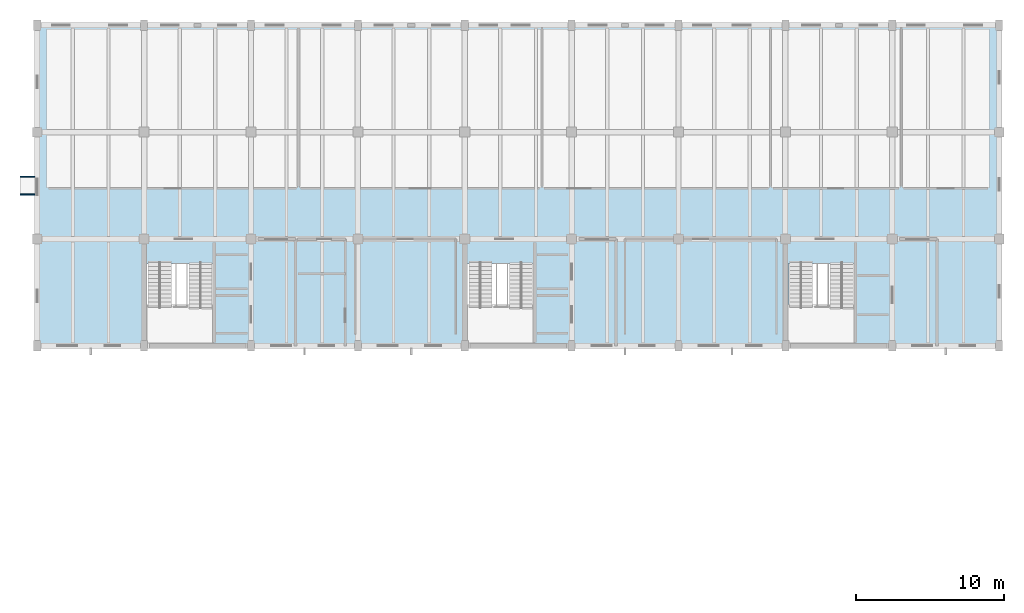
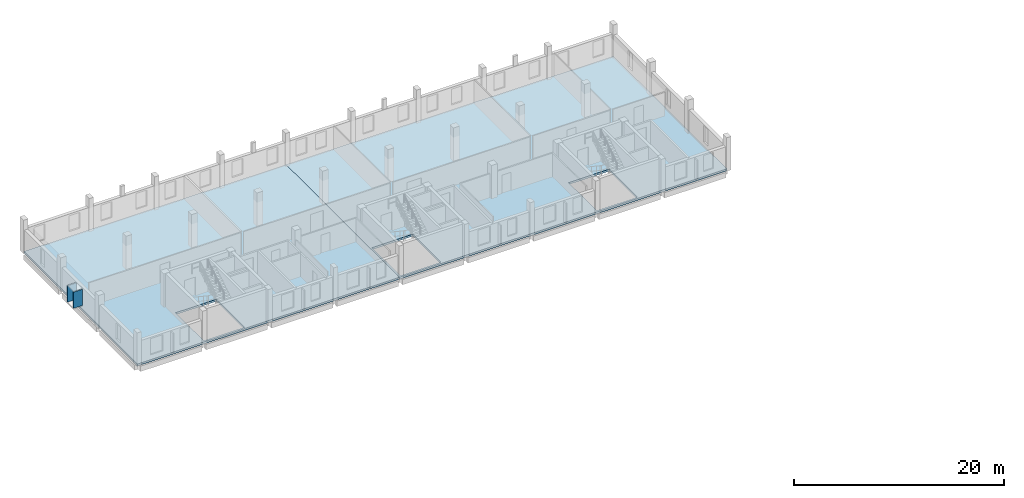
# One storey, part 4 of 11: 2 plates, 2 slabs.
"""IFC4 building model written with IfcOpenShell, lengths in metres."""

from ifc_helpers import new_model, si_unit, direction, frame, origin, origin_2d, place, context, subcontext, project, spatial, polyline, rectangle, outline, extrude, material, layer, layer_set, type_object, element, save


model = new_model("IFC4")

# Units and contexts
model_context = context("Model", 3, precision=1e-05, world=origin(), true_north=direction((0.0, 1.0)))
body_context = subcontext(model_context, "Body", "Model", "MODEL_VIEW")
ifc_project = project(units=[si_unit("LENGTHUNIT", "METRE"), si_unit("AREAUNIT", "SQUARE_METRE"), si_unit("VOLUMEUNIT", "CUBIC_METRE"), si_unit("PLANEANGLEUNIT", "RADIAN"), si_unit("MASSUNIT", "GRAM", prefix="KILO")], contexts=[model_context])

# Site, building, storey
site_placement = place(None, origin())
site = spatial("IfcSite", under=ifc_project, at=site_placement, CompositionType="ELEMENT")
building_placement = place(site_placement, origin())
building = spatial("IfcBuilding", under=site, at=building_placement, Name="Qiaolan Assembly House", CompositionType="ELEMENT")
storey_placement = place(building_placement, frame((0.0, 0.0, 26.39990234375)))
storey = spatial("IfcBuildingStorey", under=building, at=storey_placement, Name="L06", CompositionType="ELEMENT", Elevation=26.39990234375)

# Plates
ifc_material_1 = material(Name="Honed pale limestone", Category="masonry")
ifc_layer_1 = layer(ifc_material_1, 0.0849609375)
ifc_layer_set_1 = layer_set([ifc_layer_1], Name="Honed pale limestone")
plate_type = type_object("IfcPlateType", Name="PLT-WINBOX-CHEEK", PredefinedType="SHEET", material=ifc_layer_set_1)
for number, where, z_axis, x_axis, name in (
    (1, (35.340087890625, 103.8076171875, 0.7001953125), (0.0, 0.0, 1.0), (1.0, 0.0, 0.0), "WB-02 projecting window-box left cheek NWW-L06-01"),
    (2, (35.340087890625, 104.992431640625, 0.7001953125), (0.0, 0.0, 1.0), (1.0, 0.0, 0.0), "WB-02 projecting window-box right cheek NWW-L06-01"),
):
    element("IfcPlate", number, at=place(storey_placement, frame(where, z_axis=z_axis, x_axis=x_axis)), inside=storey, type_object=plate_type, Name=name, PredefinedType="SHEET", context=body_context, shape_type="SweptSolid", body=[
        extrude(rectangle(XDim=1.0, YDim=0.0849609375, at=origin_2d()), origin(), (0.0, 0.0, 1.0), 1.889892578125),
    ])

# Slabs
ifc_material_2 = material(Name="Concrete C40/50", Category="concrete")
ifc_layer_2 = layer(ifc_material_2, 0.22998046875)
ifc_layer_set_2 = layer_set([ifc_layer_2], Name="Concrete C40/50")
slab_type = type_object("IfcSlabType", Name="SLB-NW-FLOOR-230", PredefinedType="FLOOR", material=ifc_layer_set_2)
slab_1_placement = place(storey_placement, frame((0.0, 0.0, -0.22998046875)))
element("IfcSlab", 3, at=slab_1_placement, inside=storey, type_object=slab_type, Name="FS-06 North-West Wing West Plate L06", PredefinedType="FLOOR", context=body_context, shape_type="SweptSolid", body=[
    extrude(outline(polyline([(36.0, 93.60009765625), (64.800048828125, 93.60009765625), (64.800048828125, 115.199951171875), (36.0, 115.199951171875), (36.0, 93.60009765625)]), holes=[polyline([(43.39990234375, 93.800048828125), (43.39990234375, 99.14990234375), (47.8798828125, 99.14990234375), (47.8798828125, 93.800048828125), (43.39990234375, 93.800048828125)])]), origin(), (0.0, 0.0, 1.0), 0.22998046875),
])
slab_2_placement = place(storey_placement, frame((0.0, 0.0, -0.22998046875)))
element("IfcSlab", 4, at=slab_2_placement, inside=storey, type_object=slab_type, Name="FS-06 North-West Wing East Plate L06", PredefinedType="FLOOR", context=body_context, shape_type="SweptSolid", body=[
    extrude(outline(polyline([(64.800048828125, 93.60009765625), (100.800048828125, 93.60009765625), (100.800048828125, 115.199951171875), (64.800048828125, 115.199951171875), (64.800048828125, 93.60009765625)]), holes=[polyline([(65.0, 93.800048828125), (65.0, 99.14990234375), (69.47998046875, 99.14990234375), (69.47998046875, 93.800048828125), (65.0, 93.800048828125)]), polyline([(86.60009765625, 93.800048828125), (86.60009765625, 99.14990234375), (91.080078125, 99.14990234375), (91.080078125, 93.800048828125), (86.60009765625, 93.800048828125)])]), origin(), (0.0, 0.0, 1.0), 0.22998046875),
])

save(model, "model.ifc")
